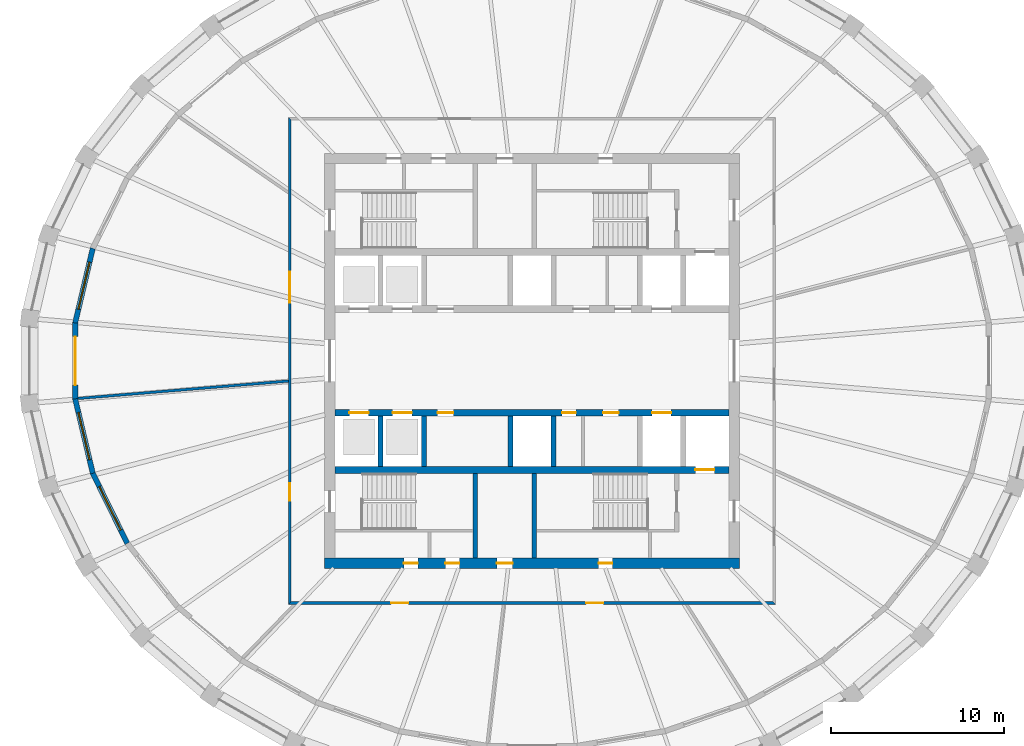
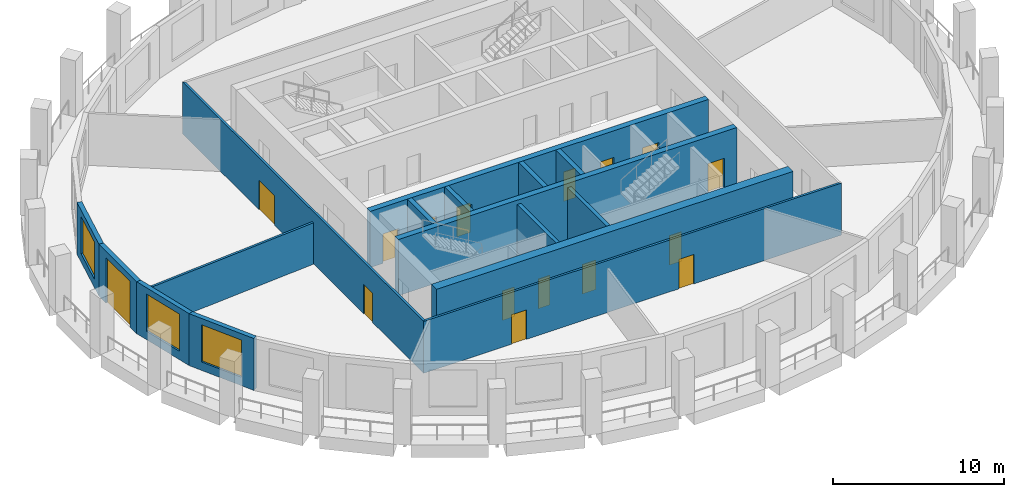
# One storey, part 3 of 10: 16 doors, 16 walls, 3 windows, 19 openings.
"""IFC4 building model written with IfcOpenShell, lengths in metres."""

from ifc_helpers import new_model, si_unit, direction, frame, frame_2d, origin, place, context, subcontext, project, spatial, polyline, rectangle, outline, extrude, material, layer, layer_set, type_object, element, fill, save


model = new_model("IFC4")

# Units and contexts
model_context = context("Model", 3, precision=1e-05, world=origin(), true_north=direction((0.0, 1.0)))
body_context = subcontext(model_context, "Body", "Model", "MODEL_VIEW")
ifc_project = project(units=[si_unit("LENGTHUNIT", "METRE"), si_unit("AREAUNIT", "SQUARE_METRE"), si_unit("VOLUMEUNIT", "CUBIC_METRE"), si_unit("PLANEANGLEUNIT", "RADIAN"), si_unit("MASSUNIT", "GRAM", prefix="KILO")], contexts=[model_context])

# Site, building, storey
site_placement = place(None, origin())
site = spatial("IfcSite", under=ifc_project, at=site_placement, CompositionType="ELEMENT")
building_placement = place(site_placement, origin())
building = spatial("IfcBuilding", under=site, at=building_placement, Name="Halqa Exchange Tower", CompositionType="ELEMENT")
storey_placement = place(building_placement, frame((0.0, 0.0, 292.300048828125)))
storey = spatial("IfcBuildingStorey", under=building, at=storey_placement, Name="L68", CompositionType="ELEMENT", Elevation=292.300048828125)

# Wall, openings, doors
ifc_material_1 = material(Name="Fire-rated gypsum board")
ifc_layer_1 = layer(ifc_material_1, 0.14990234375)
ifc_layer_set_1 = layer_set([ifc_layer_1], Name="Fire-rated gypsum board")
wall_type_1 = type_object("IfcWallType", Name="Fire partition EI 60 150", PredefinedType="PARTITIONING", material=ifc_layer_set_1)
wall_1_placement = place(storey_placement, frame((-14.0, -14.074951171875, 0.0), z_axis=(0.0, 0.0, 1.0), x_axis=(0.0, 1.0, 0.0)))
wall_1 = element("IfcWall", 1, at=wall_1_placement, inside=storey, type_object=wall_type_1, Name="L68-PWL-002", PredefinedType="PARTITIONING", context=body_context, shape_type="SweptSolid", body=[
    extrude(outline(polyline([(0.14990234375, -0.074951171875), (2.13916015625, -0.074951171875), (4.12841796875, -0.074951171875), (6.11767578125, -0.074951171875), (8.107177734375, -0.074951171875), (10.096435546875, -0.074951171875), (12.085693359375, -0.074951171875), (14.074951171875, -0.074951171875), (16.064208984375, -0.074951171875), (18.053466796875, -0.074951171875), (20.042724609375, -0.074951171875), (22.0322265625, -0.074951171875), (24.021484375, -0.074951171875), (26.0107421875, -0.074951171875), (28.0, -0.074951171875), (28.14990234375, 0.074951171875), (26.273193359375, 0.074951171875), (24.396484375, 0.074951171875), (22.52001953125, 0.074951171875), (20.643310546875, 0.074951171875), (18.7666015625, 0.074951171875), (16.889892578125, 0.074951171875), (15.01318359375, 0.074951171875), (13.13671875, 0.074951171875), (11.260009765625, 0.074951171875), (9.38330078125, 0.074951171875), (7.506591796875, 0.074951171875), (5.6298828125, 0.074951171875), (3.75341796875, 0.074951171875), (1.876708984375, 0.074951171875), (0.0, 0.074951171875), (0.14990234375, -0.074951171875)])), origin(), (0.0, 0.0, 1.0), 3.699951171875),
])
opening_1_placement = place(wall_1_placement, frame((17.429931640625, 0.0, 0.0)))
opening_1 = element("IfcOpeningElement", 2, at=opening_1_placement, cuts=wall_1, Name="Opening 21-01", PredefinedType="OPENING", context=body_context, shape_type="SweptSolid", body=[
    extrude(rectangle(XDim=1.800048828125, YDim=2.10009765625, at=frame_2d((0.89990234375, 1.050048828125))), frame((0.0, 0.0869140625, 0.0), z_axis=(0.0, -1.0, 0.0), x_axis=(1.0, 0.0, 0.0)), (0.0, 0.0, 1.0), 0.173828125),
])
opening_2_placement = place(wall_1_placement, frame((5.9951171875, 0.0, 0.0)))
opening_2 = element("IfcOpeningElement", 3, at=opening_2_placement, cuts=wall_1, Name="Opening 21-02", PredefinedType="OPENING", context=body_context, shape_type="SweptSolid", body=[
    extrude(rectangle(XDim=1.0, YDim=2.10009765625, at=frame_2d((0.5, 1.050048828125))), frame((0.0, 0.0869140625, 0.0), z_axis=(0.0, -1.0, 0.0), x_axis=(1.0, 0.0, 0.0)), (0.0, 0.0, 1.0), 0.173828125),
])
ifc_material_2 = material(Name="Steel fire door leaf", Category="steel")
door_type_1 = type_object("IfcDoorType", Name="Fire door FD30S 1000 x 2100", OperationType="SINGLE_SWING_LEFT", PredefinedType="DOOR", material=ifc_material_2)
door_1_placement = place(opening_2_placement, origin())
door_1 = element("IfcDoor", 4, at=door_1_placement, inside=storey, type_object=door_type_1, Name="L68-IDR-002", OperationType="SINGLE_SWING_LEFT", OverallHeight=2.10009765625, OverallWidth=1.0, PredefinedType="DOOR", context=body_context, shape_type="SweptSolid", body=[
    extrude(rectangle(XDim=1.0, YDim=2.10009765625, at=frame_2d((0.5, 1.050048828125))), frame((0.0, 0.02490234375, 0.0), z_axis=(0.0, -1.0, 0.0), x_axis=(1.0, 0.0, 0.0)), (0.0, 0.0, 1.0), 0.050048828125),
])
fill(opening_2, door_1)
door_type_2 = type_object("IfcDoorType", Name="Fire door FD30S double 1800 x 2100", OperationType="DOUBLE_DOOR_SINGLE_SWING", PredefinedType="DOOR", material=ifc_material_2)
door_2_placement = place(opening_1_placement, origin())
door_2 = element("IfcDoor", 5, at=door_2_placement, inside=storey, type_object=door_type_2, Name="L68-IDR-001", OperationType="DOUBLE_DOOR_SINGLE_SWING", OverallHeight=2.10009765625, OverallWidth=1.800048828125, PredefinedType="DOOR", context=body_context, shape_type="SweptSolid", body=[
    extrude(rectangle(XDim=1.800048828125, YDim=2.10009765625, at=frame_2d((0.89990234375, 1.050048828125))), frame((0.0, 0.02490234375, 0.0), z_axis=(0.0, -1.0, 0.0), x_axis=(1.0, 0.0, 0.0)), (0.0, 0.0, 1.0), 0.050048828125),
])
fill(opening_1, door_2)

wall_2_placement = place(storey_placement, frame((-14.074951171875, -14.0, 0.0), z_axis=(0.0, 0.0, 1.0), x_axis=(1.0, 0.0, 0.0)))
wall_2 = element("IfcWall", 6, at=wall_2_placement, inside=storey, type_object=wall_type_1, Name="L68-PWL-003", PredefinedType="PARTITIONING", context=body_context, shape_type="SweptSolid", body=[
    extrude(outline(polyline([(0.0, -0.074951171875), (1.876708984375, -0.074951171875), (3.75341796875, -0.074951171875), (5.6298828125, -0.074951171875), (7.506591796875, -0.074951171875), (9.38330078125, -0.074951171875), (11.260009765625, -0.074951171875), (13.13671875, -0.074951171875), (15.01318359375, -0.074951171875), (16.889892578125, -0.074951171875), (18.7666015625, -0.074951171875), (20.643310546875, -0.074951171875), (22.52001953125, -0.074951171875), (24.396484375, -0.074951171875), (26.273193359375, -0.074951171875), (28.14990234375, -0.074951171875), (28.0, 0.074951171875), (26.0107421875, 0.074951171875), (24.021484375, 0.074951171875), (22.0322265625, 0.074951171875), (20.042724609375, 0.074951171875), (18.053466796875, 0.074951171875), (16.064208984375, 0.074951171875), (14.074951171875, 0.074951171875), (12.085693359375, 0.074951171875), (10.096435546875, 0.074951171875), (8.107177734375, 0.074951171875), (6.11767578125, 0.074951171875), (4.12841796875, 0.074951171875), (2.13916015625, 0.074951171875), (0.14990234375, 0.074951171875), (0.0, -0.074951171875)])), origin(), (0.0, 0.0, 1.0), 3.699951171875),
])
opening_3_placement = place(wall_2_placement, frame((5.929931640625, 0.0, 0.0)))
opening_3 = element("IfcOpeningElement", 7, at=opening_3_placement, cuts=wall_2, Name="Opening 21-03", PredefinedType="OPENING", context=body_context, shape_type="SweptSolid", body=[
    extrude(rectangle(XDim=1.0, YDim=2.10009765625, at=frame_2d((0.5, 1.050048828125))), frame((0.0, 0.0869140625, 0.0), z_axis=(0.0, -1.0, 0.0), x_axis=(1.0, 0.0, 0.0)), (0.0, 0.0, 1.0), 0.173828125),
])
opening_4_placement = place(wall_2_placement, frame((17.199951171875, 0.0, 0.0)))
opening_4 = element("IfcOpeningElement", 8, at=opening_4_placement, cuts=wall_2, Name="Opening 21-04", PredefinedType="OPENING", context=body_context, shape_type="SweptSolid", body=[
    extrude(rectangle(XDim=1.0, YDim=2.10009765625, at=frame_2d((0.5, 1.050048828125))), frame((0.0, 0.0869140625, 0.0), z_axis=(0.0, -1.0, 0.0), x_axis=(1.0, 0.0, 0.0)), (0.0, 0.0, 1.0), 0.173828125),
])
door_3_placement = place(opening_3_placement, frame((1.0, 0.0, 0.0), z_axis=(0.0, 0.0, 1.0), x_axis=(-1.0, 0.0, 0.0)))
door_3 = element("IfcDoor", 9, at=door_3_placement, inside=storey, type_object=door_type_1, Name="L68-IDR-003", OperationType="SINGLE_SWING_RIGHT", OverallHeight=2.10009765625, OverallWidth=1.0, PredefinedType="DOOR", context=body_context, shape_type="SweptSolid", body=[
    extrude(rectangle(XDim=1.0, YDim=2.10009765625, at=frame_2d((0.5, 1.050048828125))), frame((0.0, 0.02490234375, 0.0), z_axis=(0.0, -1.0, 0.0), x_axis=(1.0, 0.0, 0.0)), (0.0, 0.0, 1.0), 0.050048828125),
])
fill(opening_3, door_3)
door_4_placement = place(opening_4_placement, frame((1.0, 0.0, 0.0), z_axis=(0.0, 0.0, 1.0), x_axis=(-1.0, 0.0, 0.0)))
door_4 = element("IfcDoor", 10, at=door_4_placement, inside=storey, type_object=door_type_1, Name="L68-IDR-004", OperationType="SINGLE_SWING_LEFT", OverallHeight=2.10009765625, OverallWidth=1.0, PredefinedType="DOOR", context=body_context, shape_type="SweptSolid", body=[
    extrude(rectangle(XDim=1.0, YDim=2.10009765625, at=frame_2d((0.5, 1.050048828125))), frame((0.0, 0.02490234375, 0.0), z_axis=(0.0, -1.0, 0.0), x_axis=(1.0, 0.0, 0.0)), (0.0, 0.0, 1.0), 0.050048828125),
])
fill(opening_4, door_4)

# Walls
wall_3_placement = place(storey_placement, frame((-14.0693359375, -1.165771484375, 0.0), z_axis=(0.0, 0.0, 1.0), x_axis=(-0.99659010846, -0.082511549014, 0.0)))
element("IfcWall", 11, at=wall_3_placement, inside=storey, type_object=wall_type_1, Name="L68-PWL-004", PredefinedType="PARTITIONING", context=body_context, shape_type="SweptSolid", body=[
    extrude(outline(polyline([(12.22314453125, -0.074951171875), (12.22314453125, 0.046630859375), (12.218994140625, 0.074951171875), (10.47509765625, 0.074951171875), (8.731201171875, 0.074951171875), (6.9873046875, 0.074951171875), (5.243408203125, 0.074951171875), (3.49951171875, 0.074951171875), (1.755859375, 0.074951171875), (0.011962890625, 0.074951171875), (0.0, -0.068603515625), (0.0, -0.074951171875), (1.74609375, -0.074951171875), (3.492431640625, -0.074951171875), (5.238525390625, -0.074951171875), (6.984619140625, -0.074951171875), (8.730712890625, -0.074951171875), (10.47705078125, -0.074951171875), (12.22314453125, -0.074951171875)])), origin(), (0.0, 0.0, 1.0), 2.947021484375),
])
ifc_material_3 = material(Name="Concrete C60/75", Category="concrete")
ifc_layer_2 = layer(ifc_material_3, 0.300048828125)
ifc_layer_set_2 = layer_set([ifc_layer_2], Name="Concrete C60/75")
wall_type_2 = type_object("IfcWallType", Name="RC core wall 300", PredefinedType="SHEAR", material=ifc_layer_set_2)
for number, where, z_axis, x_axis, name in (
    (12, (-8.75, -6.10009765625, 0.0), (0.0, 0.0, 1.0), (0.0, 1.0, 0.0), "Shaft divider S1"),
    (13, (-6.25, -6.10009765625, 0.0), (0.0, 0.0, 1.0), (0.0, 1.0, 0.0), "Shaft divider S2"),
    (14, (-1.25, -6.10009765625, 0.0), (0.0, 0.0, 1.0), (0.0, 1.0, 0.0), "Shaft divider S4"),
    (15, (1.25, -6.10009765625, 0.0), (0.0, 0.0, 1.0), (0.0, 1.0, 0.0), "Shaft divider S5"),
):
    element("IfcWall", number, at=place(storey_placement, frame(where, z_axis=z_axis, x_axis=x_axis)), inside=storey, type_object=wall_type_2, Name=name, PredefinedType="SHEAR", context=body_context, shape_type="SweptSolid", body=[
        extrude(rectangle(XDim=2.900146484375, YDim=0.300048828125, at=frame_2d((1.4501953125, 0.0))), origin(), (0.0, 0.0, 1.0), 4.0),
    ])

# Wall, openings, doors
ifc_layer_3 = layer(ifc_material_3, 0.39990234375)
ifc_layer_set_3 = layer_set([ifc_layer_3], Name="Concrete C60/75")
wall_type_3 = type_object("IfcWallType", Name="RC core wall 400 C60/75", PredefinedType="SHEAR", material=ifc_layer_set_3)
wall_4_placement = place(storey_placement, frame((-11.39990234375, -3.0, 0.0), z_axis=(0.0, 0.0, 1.0), x_axis=(1.0, 0.0, 0.0)))
wall_4 = element("IfcWall", 16, at=wall_4_placement, inside=storey, type_object=wall_type_3, Name="Lift row front wall S", PredefinedType="SHEAR", context=body_context, shape_type="SweptSolid", body=[
    extrude(rectangle(XDim=22.7998046875, YDim=0.39990234375, at=frame_2d((11.39990234375, 0.0))), origin(), (0.0, 0.0, 1.0), 4.0),
])
opening_5_placement = place(wall_4_placement, frame((0.85009765625, 0.0, 0.0)))
opening_5 = element("IfcOpeningElement", 17, at=opening_5_placement, cuts=wall_4, Name="Opening LD-HR3-T21", PredefinedType="OPENING", context=body_context, shape_type="SweptSolid", body=[
    extrude(rectangle(XDim=1.10009765625, YDim=2.10009765625, at=frame_2d((0.550048828125, 1.050048828125))), frame((0.0, 0.2119140625, 0.0), z_axis=(0.0, -1.0, 0.0), x_axis=(1.0, 0.0, 0.0)), (0.0, 0.0, 1.0), 0.423828125),
])
opening_6_placement = place(wall_4_placement, frame((3.35009765625, 0.0, 0.0)))
opening_6 = element("IfcOpeningElement", 18, at=opening_6_placement, cuts=wall_4, Name="Opening LD-HR4-T21", PredefinedType="OPENING", context=body_context, shape_type="SweptSolid", body=[
    extrude(rectangle(XDim=1.10009765625, YDim=2.10009765625, at=frame_2d((0.550048828125, 1.050048828125))), frame((0.0, 0.2119140625, 0.0), z_axis=(0.0, -1.0, 0.0), x_axis=(1.0, 0.0, 0.0)), (0.0, 0.0, 1.0), 0.423828125),
])
opening_7_placement = place(wall_4_placement, frame((18.35009765625, 0.0, 0.0)))
opening_7 = element("IfcOpeningElement", 19, at=opening_7_placement, cuts=wall_4, Name="Opening LD-SV2-T21", PredefinedType="OPENING", context=body_context, shape_type="SweptSolid", body=[
    extrude(rectangle(XDim=1.10009765625, YDim=2.10009765625, at=frame_2d((0.550048828125, 1.050048828125))), frame((0.0, 0.2119140625, 0.0), z_axis=(0.0, -1.0, 0.0), x_axis=(1.0, 0.0, 0.0)), (0.0, 0.0, 1.0), 0.423828125),
])
opening_8_placement = place(wall_4_placement, frame((13.137451171875, 0.0, 0.0)))
opening_8 = element("IfcOpeningElement", 20, at=opening_8_placement, cuts=wall_4, Name="Opening T21-C28", PredefinedType="OPENING", context=body_context, shape_type="SweptSolid", body=[
    extrude(rectangle(XDim=0.800048828125, YDim=2.10009765625, at=frame_2d((0.39990234375, 1.050048828125))), frame((0.0, 0.2119140625, 0.0), z_axis=(0.0, -1.0, 0.0), x_axis=(1.0, 0.0, 0.0)), (0.0, 0.0, 1.0), 0.423828125),
])
opening_9_placement = place(wall_4_placement, frame((15.512451171875, 0.0, 0.0)))
opening_9 = element("IfcOpeningElement", 21, at=opening_9_placement, cuts=wall_4, Name="Opening T21-C29", PredefinedType="OPENING", context=body_context, shape_type="SweptSolid", body=[
    extrude(rectangle(XDim=0.89990234375, YDim=2.10009765625, at=frame_2d((0.449951171875, 1.050048828125))), frame((0.0, 0.2119140625, 0.0), z_axis=(0.0, -1.0, 0.0), x_axis=(1.0, 0.0, 0.0)), (0.0, 0.0, 1.0), 0.423828125),
])
opening_10_placement = place(wall_4_placement, frame((5.949951171875, 0.0, 0.0)))
opening_10 = element("IfcOpeningElement", 22, at=opening_10_placement, cuts=wall_4, Name="Opening T21-C30", PredefinedType="OPENING", context=body_context, shape_type="SweptSolid", body=[
    extrude(rectangle(XDim=0.89990234375, YDim=2.10009765625, at=frame_2d((0.449951171875, 1.050048828125))), frame((0.0, 0.2119140625, 0.0), z_axis=(0.0, -1.0, 0.0), x_axis=(1.0, 0.0, 0.0)), (0.0, 0.0, 1.0), 0.423828125),
])
ifc_material_4 = material(Name="Timber fire door leaf", Category="wood")
door_type_3 = type_object("IfcDoorType", Name="Core room door FD30 900 x 2100", OperationType="SINGLE_SWING_LEFT", PredefinedType="DOOR", material=ifc_material_4)
door_5_placement = place(opening_9_placement, frame((0.89990234375, 0.0, 0.0), z_axis=(0.0, 0.0, 1.0), x_axis=(-1.0, 0.0, 0.0)))
door_5 = element("IfcDoor", 23, at=door_5_placement, inside=storey, type_object=door_type_3, Name="Core room door", OperationType="SINGLE_SWING_RIGHT", OverallHeight=2.10009765625, OverallWidth=0.89990234375, PredefinedType="DOOR", context=body_context, shape_type="SweptSolid", body=[
    extrude(rectangle(XDim=0.89990234375, YDim=2.10009765625, at=frame_2d((0.449951171875, 1.050048828125))), frame((0.0, 0.02490234375, 0.0), z_axis=(0.0, -1.0, 0.0), x_axis=(1.0, 0.0, 0.0)), (0.0, 0.0, 1.0), 0.050048828125),
])
fill(opening_9, door_5)
door_6_placement = place(opening_10_placement, frame((0.89990234375, 0.0, 0.0), z_axis=(0.0, 0.0, 1.0), x_axis=(-1.0, 0.0, 0.0)))
door_6 = element("IfcDoor", 24, at=door_6_placement, inside=storey, type_object=door_type_3, Name="Core room door", OperationType="SINGLE_SWING_LEFT", OverallHeight=2.10009765625, OverallWidth=0.89990234375, PredefinedType="DOOR", context=body_context, shape_type="SweptSolid", body=[
    extrude(rectangle(XDim=0.89990234375, YDim=2.10009765625, at=frame_2d((0.449951171875, 1.050048828125))), frame((0.0, 0.02490234375, 0.0), z_axis=(0.0, -1.0, 0.0), x_axis=(1.0, 0.0, 0.0)), (0.0, 0.0, 1.0), 0.050048828125),
])
fill(opening_10, door_6)
ifc_material_5 = material(Name="Stainless steel", Category="steel")
door_type_4 = type_object("IfcDoorType", Name="Lift landing door 1100 x 2100", OperationType="SLIDING_TO_LEFT", PredefinedType="DOOR", material=ifc_material_5)
door_7_placement = place(opening_5_placement, origin())
door_7 = element("IfcDoor", 25, at=door_7_placement, inside=storey, type_object=door_type_4, Name="Lift landing door HR3", OperationType="SLIDING_TO_LEFT", OverallHeight=2.10009765625, OverallWidth=1.10009765625, PredefinedType="DOOR", context=body_context, shape_type="SweptSolid", body=[
    extrude(rectangle(XDim=1.10009765625, YDim=2.10009765625, at=frame_2d((0.550048828125, 1.050048828125))), frame((0.0, 0.02490234375, 0.0), z_axis=(0.0, -1.0, 0.0), x_axis=(1.0, 0.0, 0.0)), (0.0, 0.0, 1.0), 0.050048828125),
])
fill(opening_5, door_7)
door_8_placement = place(opening_6_placement, origin())
door_8 = element("IfcDoor", 26, at=door_8_placement, inside=storey, type_object=door_type_4, Name="Lift landing door HR4", OperationType="SLIDING_TO_LEFT", OverallHeight=2.10009765625, OverallWidth=1.10009765625, PredefinedType="DOOR", context=body_context, shape_type="SweptSolid", body=[
    extrude(rectangle(XDim=1.10009765625, YDim=2.10009765625, at=frame_2d((0.550048828125, 1.050048828125))), frame((0.0, 0.02490234375, 0.0), z_axis=(0.0, -1.0, 0.0), x_axis=(1.0, 0.0, 0.0)), (0.0, 0.0, 1.0), 0.050048828125),
])
fill(opening_6, door_8)
door_9_placement = place(opening_7_placement, origin())
door_9 = element("IfcDoor", 27, at=door_9_placement, inside=storey, type_object=door_type_4, Name="Lift landing door SV2", OperationType="SLIDING_TO_LEFT", OverallHeight=2.10009765625, OverallWidth=1.10009765625, PredefinedType="DOOR", context=body_context, shape_type="SweptSolid", body=[
    extrude(rectangle(XDim=1.10009765625, YDim=2.10009765625, at=frame_2d((0.550048828125, 1.050048828125))), frame((0.0, 0.02490234375, 0.0), z_axis=(0.0, -1.0, 0.0), x_axis=(1.0, 0.0, 0.0)), (0.0, 0.0, 1.0), 0.050048828125),
])
fill(opening_7, door_9)
door_type_5 = type_object("IfcDoorType", Name="Riser door FD60 800 x 2100", OperationType="SINGLE_SWING_LEFT", PredefinedType="DOOR", material=ifc_material_2)
door_10_placement = place(opening_8_placement, frame((0.800048828125, 0.0, 0.0), z_axis=(0.0, 0.0, 1.0), x_axis=(-1.0, 0.0, 0.0)))
door_10 = element("IfcDoor", 28, at=door_10_placement, inside=storey, type_object=door_type_5, Name="Core room door", OperationType="SINGLE_SWING_RIGHT", OverallHeight=2.10009765625, OverallWidth=0.800048828125, PredefinedType="DOOR", context=body_context, shape_type="SweptSolid", body=[
    extrude(rectangle(XDim=0.800048828125, YDim=2.10009765625, at=frame_2d((0.39990234375, 1.050048828125))), frame((0.0, 0.02490234375, 0.0), z_axis=(0.0, -1.0, 0.0), x_axis=(1.0, 0.0, 0.0)), (0.0, 0.0, 1.0), 0.050048828125),
])
fill(opening_8, door_10)

# Wall, opening, door
wall_5_placement = place(storey_placement, frame((-11.39990234375, -6.300048828125, 0.0), z_axis=(0.0, 0.0, 1.0), x_axis=(1.0, 0.0, 0.0)))
wall_5 = element("IfcWall", 29, at=wall_5_placement, inside=storey, type_object=wall_type_3, Name="Lift row back wall S", PredefinedType="SHEAR", context=body_context, shape_type="SweptSolid", body=[
    extrude(rectangle(XDim=22.7998046875, YDim=0.39990234375, at=frame_2d((11.39990234375, 0.0))), origin(), (0.0, 0.0, 1.0), 4.0),
])
opening_11_placement = place(wall_5_placement, frame((20.85009765625, 0.0, 0.0)))
opening_11 = element("IfcOpeningElement", 30, at=opening_11_placement, cuts=wall_5, Name="Opening LD-FF2-T21", PredefinedType="OPENING", context=body_context, shape_type="SweptSolid", body=[
    extrude(rectangle(XDim=1.10009765625, YDim=2.10009765625, at=frame_2d((0.550048828125, 1.050048828125))), frame((0.0, 0.2119140625, 0.0), z_axis=(0.0, -1.0, 0.0), x_axis=(1.0, 0.0, 0.0)), (0.0, 0.0, 1.0), 0.423828125),
])
door_11_placement = place(opening_11_placement, origin())
door_11 = element("IfcDoor", 31, at=door_11_placement, inside=storey, type_object=door_type_4, Name="Lift landing door FF2", OperationType="SLIDING_TO_LEFT", OverallHeight=2.10009765625, OverallWidth=1.10009765625, PredefinedType="DOOR", context=body_context, shape_type="SweptSolid", body=[
    extrude(rectangle(XDim=1.10009765625, YDim=2.10009765625, at=frame_2d((0.550048828125, 1.050048828125))), frame((0.0, 0.02490234375, 0.0), z_axis=(0.0, -1.0, 0.0), x_axis=(1.0, 0.0, 0.0)), (0.0, 0.0, 1.0), 0.050048828125),
])
fill(opening_11, door_11)

# Wall, openings, doors
ifc_layer_4 = layer(ifc_material_3, 0.60009765625)
ifc_layer_set_4 = layer_set([ifc_layer_4], Name="Concrete C60/75")
wall_type_4 = type_object("IfcWallType", Name="RC core wall 600 C60/75", PredefinedType="SHEAR", material=ifc_layer_set_4)
wall_6_placement = place(storey_placement, frame((-12.0, -11.699951171875, 0.0), z_axis=(0.0, 0.0, 1.0), x_axis=(1.0, 0.0, 0.0)))
wall_6 = element("IfcWall", 32, at=wall_6_placement, inside=storey, type_object=wall_type_4, Name="Core wall south", PredefinedType="SHEAR", context=body_context, shape_type="SweptSolid", body=[
    extrude(rectangle(XDim=24.0, YDim=0.60009765625, at=frame_2d((12.0, 0.0))), origin(), (0.0, 0.0, 1.0), 4.0),
])
opening_12_placement = place(wall_6_placement, frame((9.97509765625, 0.0, 0.0)))
opening_12 = element("IfcOpeningElement", 33, at=opening_12_placement, cuts=wall_6, Name="Opening T21-C21", PredefinedType="OPENING", context=body_context, shape_type="SweptSolid", body=[
    extrude(rectangle(XDim=0.89990234375, YDim=2.10009765625, at=frame_2d((0.449951171875, 1.050048828125))), frame((0.0, 0.31201171875, 0.0), z_axis=(0.0, -1.0, 0.0), x_axis=(1.0, 0.0, 0.0)), (0.0, 0.0, 1.0), 0.6240234375),
])
opening_13_placement = place(wall_6_placement, frame((4.60009765625, 0.0, 0.0)))
opening_13 = element("IfcOpeningElement", 34, at=opening_13_placement, cuts=wall_6, Name="Opening T21-C22", PredefinedType="OPENING", context=body_context, shape_type="SweptSolid", body=[
    extrude(rectangle(XDim=0.800048828125, YDim=2.10009765625, at=frame_2d((0.39990234375, 1.050048828125))), frame((0.0, 0.31201171875, 0.0), z_axis=(0.0, -1.0, 0.0), x_axis=(1.0, 0.0, 0.0)), (0.0, 0.0, 1.0), 0.6240234375),
])
opening_14_placement = place(wall_6_placement, frame((7.0, 0.0, 0.0)))
opening_14 = element("IfcOpeningElement", 35, at=opening_14_placement, cuts=wall_6, Name="Opening T21-C23", PredefinedType="OPENING", context=body_context, shape_type="SweptSolid", body=[
    extrude(rectangle(XDim=0.800048828125, YDim=2.10009765625, at=frame_2d((0.39990234375, 1.050048828125))), frame((0.0, 0.31201171875, 0.0), z_axis=(0.0, -1.0, 0.0), x_axis=(1.0, 0.0, 0.0)), (0.0, 0.0, 1.0), 0.6240234375),
])
opening_15_placement = place(wall_6_placement, frame((15.85009765625, 0.0, 0.0)))
opening_15 = element("IfcOpeningElement", 36, at=opening_15_placement, cuts=wall_6, Name="Opening T21-C24", PredefinedType="OPENING", context=body_context, shape_type="SweptSolid", body=[
    extrude(rectangle(XDim=0.800048828125, YDim=2.10009765625, at=frame_2d((0.39990234375, 1.050048828125))), frame((0.0, 0.31201171875, 0.0), z_axis=(0.0, -1.0, 0.0), x_axis=(1.0, 0.0, 0.0)), (0.0, 0.0, 1.0), 0.6240234375),
])
door_12_placement = place(opening_12_placement, origin())
door_12 = element("IfcDoor", 37, at=door_12_placement, inside=storey, type_object=door_type_3, Name="Core room door", OperationType="SINGLE_SWING_LEFT", OverallHeight=2.10009765625, OverallWidth=0.89990234375, PredefinedType="DOOR", context=body_context, shape_type="SweptSolid", body=[
    extrude(rectangle(XDim=0.89990234375, YDim=2.10009765625, at=frame_2d((0.449951171875, 1.050048828125))), frame((0.0, 0.02490234375, 0.0), z_axis=(0.0, -1.0, 0.0), x_axis=(1.0, 0.0, 0.0)), (0.0, 0.0, 1.0), 0.050048828125),
])
fill(opening_12, door_12)
door_13_placement = place(opening_13_placement, origin())
door_13 = element("IfcDoor", 38, at=door_13_placement, inside=storey, type_object=door_type_5, Name="Core room door", OperationType="SINGLE_SWING_LEFT", OverallHeight=2.10009765625, OverallWidth=0.800048828125, PredefinedType="DOOR", context=body_context, shape_type="SweptSolid", body=[
    extrude(rectangle(XDim=0.800048828125, YDim=2.10009765625, at=frame_2d((0.39990234375, 1.050048828125))), frame((0.0, 0.02490234375, 0.0), z_axis=(0.0, -1.0, 0.0), x_axis=(1.0, 0.0, 0.0)), (0.0, 0.0, 1.0), 0.050048828125),
])
fill(opening_13, door_13)
door_14_placement = place(opening_14_placement, origin())
door_14 = element("IfcDoor", 39, at=door_14_placement, inside=storey, type_object=door_type_5, Name="Core room door", OperationType="SINGLE_SWING_LEFT", OverallHeight=2.10009765625, OverallWidth=0.800048828125, PredefinedType="DOOR", context=body_context, shape_type="SweptSolid", body=[
    extrude(rectangle(XDim=0.800048828125, YDim=2.10009765625, at=frame_2d((0.39990234375, 1.050048828125))), frame((0.0, 0.02490234375, 0.0), z_axis=(0.0, -1.0, 0.0), x_axis=(1.0, 0.0, 0.0)), (0.0, 0.0, 1.0), 0.050048828125),
])
fill(opening_14, door_14)
door_15_placement = place(opening_15_placement, origin())
door_15 = element("IfcDoor", 40, at=door_15_placement, inside=storey, type_object=door_type_5, Name="Core room door", OperationType="SINGLE_SWING_LEFT", OverallHeight=2.10009765625, OverallWidth=0.800048828125, PredefinedType="DOOR", context=body_context, shape_type="SweptSolid", body=[
    extrude(rectangle(XDim=0.800048828125, YDim=2.10009765625, at=frame_2d((0.39990234375, 1.050048828125))), frame((0.0, 0.02490234375, 0.0), z_axis=(0.0, -1.0, 0.0), x_axis=(1.0, 0.0, 0.0)), (0.0, 0.0, 1.0), 0.050048828125),
])
fill(opening_15, door_15)

# Walls
ifc_material_6 = material(Name="Concrete C30/37", Category="concrete")
ifc_layer_5 = layer(ifc_material_6, 0.25)
ifc_layer_set_5 = layer_set([ifc_layer_5], Name="Concrete C30/37")
wall_type_5 = type_object("IfcWallType", Name="RC stair wall 250 C30/37", PredefinedType="SHEAR", material=ifc_layer_set_5)
for number, where, z_axis, x_axis, name in (
    (41, (-3.27490234375, -11.39990234375, 0.0), (0.0, 0.0, 1.0), (0.0, 1.0, 0.0), "Stair ST1 east wall S"),
    (42, (0.125, -11.39990234375, 0.0), (0.0, 0.0, 1.0), (0.0, 1.0, 0.0), "Stair ST2 west wall S"),
):
    element("IfcWall", number, at=place(storey_placement, frame(where, z_axis=z_axis, x_axis=x_axis)), inside=storey, type_object=wall_type_5, Name=name, PredefinedType="SHEAR", context=body_context, shape_type="SweptSolid", body=[
        extrude(rectangle(XDim=4.89990234375, YDim=0.25, at=frame_2d((2.449951171875, 0.0))), origin(), (0.0, 0.0, 1.0), 3.699951171875),
    ])

# Wall, opening, window
ifc_material_7 = material(Name="Limestone cladding", Category="masonry")
ifc_layer_6 = layer(ifc_material_7, 0.0400390625)
ifc_material_8 = material(Name="Ventilated cavity")
ifc_layer_7 = layer(ifc_material_8, 0.030029296875, ventilated=True)
ifc_material_9 = material(Name="Mineral wool insulation")
ifc_layer_8 = layer(ifc_material_9, 0.10009765625)
ifc_layer_9 = layer(ifc_material_6, 0.10009765625)
ifc_material_10 = material(Name="Internal plaster")
ifc_layer_10 = layer(ifc_material_10, 0.030029296875)
ifc_layer_set_6 = layer_set([ifc_layer_6, ifc_layer_7, ifc_layer_8, ifc_layer_9, ifc_layer_10], Name="Stone-faced insulated wall 300")
wall_type_6 = type_object("IfcWallType", Name="Stone-faced insulated wall 300", PredefinedType="STANDARD", material=ifc_layer_set_6)
wall_7_placement = place(storey_placement, frame((-25.39013671875, 6.499755859375, 0.0), z_axis=(0.0, 0.0, 1.0), x_axis=(-0.229943714271, -0.973203929435, 0.0)))
wall_7 = element("IfcWall", 43, at=wall_7_placement, inside=storey, type_object=wall_type_6, Name="Glass-line wall 15", PredefinedType="STANDARD", context=body_context, shape_type="SweptSolid", body=[
    extrude(outline(polyline([(-0.016845703125, -0.14990234375), (4.440673828125, -0.14990234375), (4.405517578125, 0.14990234375), (0.016845703125, 0.14990234375), (-0.016845703125, -0.14990234375)])), origin(), (0.0, 0.0, 1.0), 3.699951171875),
])
opening_16_placement = place(wall_7_placement, frame((0.8115234375, 0.0, 0.60009765625)))
opening_16 = element("IfcOpeningElement", 44, at=opening_16_placement, cuts=wall_7, Name="Opening W-F4-15", PredefinedType="OPENING", context=body_context, shape_type="SweptSolid", body=[
    extrude(rectangle(XDim=2.800048828125, YDim=2.64990234375, at=frame_2d((1.39990234375, 1.324951171875))), frame((0.0, 0.162109375, 0.0), z_axis=(0.0, -1.0, 0.0), x_axis=(1.0, 0.0, 0.0)), (0.0, 0.0, 1.0), 0.323974609375),
])
ifc_material_11 = material(Name="Clear low-emissivity glass in aluminium frame", Category="aluminium")
window_type = type_object("IfcWindowType", Name="Fixed clear glazed window 2800 x 2650", PartitioningType="DOUBLE_PANEL_VERTICAL", PredefinedType="WINDOW", material=ifc_material_11)
window_1_placement = place(opening_16_placement, origin())
window_1 = element("IfcWindow", 45, at=window_1_placement, inside=storey, type_object=window_type, Name="Window 4", OverallHeight=2.64990234375, OverallWidth=2.800048828125, PartitioningType="DOUBLE_PANEL_VERTICAL", PredefinedType="WINDOW", context=body_context, shape_type="SweptSolid", body=[
    extrude(rectangle(XDim=2.800048828125, YDim=2.64990234375, at=frame_2d((1.39990234375, 1.324951171875))), frame((0.0, 0.030029296875, 0.0), z_axis=(0.0, -1.0, 0.0), x_axis=(1.0, 0.0, 0.0)), (0.0, 0.0, 1.0), 0.06005859375),
])
fill(opening_16, window_1)

# Wall, opening, door
wall_8_placement = place(storey_placement, frame((-26.4072265625, 2.195068359375, 0.0), z_axis=(0.0, 0.0, 1.0), x_axis=(0.0, -1.0, 0.0)))
wall_8 = element("IfcWall", 46, at=wall_8_placement, inside=storey, type_object=wall_type_6, Name="Glass-line wall 16", PredefinedType="STANDARD", context=body_context, shape_type="SweptSolid", body=[
    extrude(outline(polyline([(-0.017578125, -0.14990234375), (4.40771484375, -0.14990234375), (4.37255859375, 0.14990234375), (0.017578125, 0.14990234375), (-0.017578125, -0.14990234375)])), origin(), (0.0, 0.0, 1.0), 3.699951171875),
])
opening_17_placement = place(wall_8_placement, frame((0.794921875, 0.0, 0.0)))
opening_17 = element("IfcOpeningElement", 47, at=opening_17_placement, cuts=wall_8, Name="Opening LG-F4-04", PredefinedType="OPENING", context=body_context, shape_type="SweptSolid", body=[
    extrude(rectangle(XDim=2.800048828125, YDim=3.25, at=frame_2d((1.39990234375, 1.625))), frame((0.0, 0.162109375, 0.0), z_axis=(0.0, -1.0, 0.0), x_axis=(1.0, 0.0, 0.0)), (0.0, 0.0, 1.0), 0.323974609375),
])
door_type_6 = type_object("IfcDoorType", Name="Glazed sliding loggia door 2800 x 3250", OperationType="DOUBLE_DOOR_SLIDING", PredefinedType="DOOR", material=ifc_material_11)
door_16_placement = place(opening_17_placement, origin())
door_16 = element("IfcDoor", 48, at=door_16_placement, inside=storey, type_object=door_type_6, Name="Loggia door 4", OperationType="DOUBLE_DOOR_SLIDING", OverallHeight=3.25, OverallWidth=2.800048828125, PredefinedType="DOOR", context=body_context, shape_type="SweptSolid", body=[
    extrude(rectangle(XDim=2.800048828125, YDim=3.25, at=frame_2d((1.39990234375, 1.625))), frame((0.0, 0.02490234375, 0.0), z_axis=(0.0, -1.0, 0.0), x_axis=(1.0, 0.0, 0.0)), (0.0, 0.0, 1.0), 0.050048828125),
])
fill(opening_17, door_16)

# Wall, opening, window
wall_9_placement = place(storey_placement, frame((-26.4072265625, -2.195068359375, 0.0), z_axis=(0.0, 0.0, 1.0), x_axis=(0.229943714271, -0.973203929435, 0.0)))
wall_9 = element("IfcWall", 49, at=wall_9_placement, inside=storey, type_object=wall_type_6, Name="Glass-line wall 17", PredefinedType="STANDARD", context=body_context, shape_type="SweptSolid", body=[
    extrude(outline(polyline([(-0.017578125, -0.14990234375), (4.43994140625, -0.14990234375), (4.40625, 0.14990234375), (0.017578125, 0.14990234375), (-0.017578125, -0.14990234375)])), origin(), (0.0, 0.0, 1.0), 3.699951171875),
])
opening_18_placement = place(wall_9_placement, frame((0.8115234375, 0.0, 0.60009765625)))
opening_18 = element("IfcOpeningElement", 50, at=opening_18_placement, cuts=wall_9, Name="Opening W-F4-17", PredefinedType="OPENING", context=body_context, shape_type="SweptSolid", body=[
    extrude(rectangle(XDim=2.800048828125, YDim=2.64990234375, at=frame_2d((1.39990234375, 1.324951171875))), frame((0.0, 0.162109375, 0.0), z_axis=(0.0, -1.0, 0.0), x_axis=(1.0, 0.0, 0.0)), (0.0, 0.0, 1.0), 0.323974609375),
])
window_2_placement = place(opening_18_placement, origin())
window_2 = element("IfcWindow", 51, at=window_2_placement, inside=storey, type_object=window_type, Name="Window 4", OverallHeight=2.64990234375, OverallWidth=2.800048828125, PartitioningType="DOUBLE_PANEL_VERTICAL", PredefinedType="WINDOW", context=body_context, shape_type="SweptSolid", body=[
    extrude(rectangle(XDim=2.800048828125, YDim=2.64990234375, at=frame_2d((1.39990234375, 1.324951171875))), frame((0.0, 0.030029296875, 0.0), z_axis=(0.0, -1.0, 0.0), x_axis=(1.0, 0.0, 0.0)), (0.0, 0.0, 1.0), 0.06005859375),
])
fill(opening_18, window_2)

wall_10_placement = place(storey_placement, frame((-25.39013671875, -6.499755859375, 0.0), z_axis=(0.0, 0.0, 1.0), x_axis=(0.441431671743, -0.897294867467, 0.0)))
wall_10 = element("IfcWall", 52, at=wall_10_placement, inside=storey, type_object=wall_type_6, Name="Glass-line wall 18", PredefinedType="STANDARD", context=body_context, shape_type="SweptSolid", body=[
    extrude(outline(polyline([(-0.016845703125, -0.14990234375), (4.532958984375, -0.14990234375), (4.500732421875, 0.14990234375), (0.016845703125, 0.14990234375), (-0.016845703125, -0.14990234375)])), origin(), (0.0, 0.0, 1.0), 3.699951171875),
])
opening_19_placement = place(wall_10_placement, frame((0.8583984375, 0.0, 0.60009765625)))
opening_19 = element("IfcOpeningElement", 53, at=opening_19_placement, cuts=wall_10, Name="Opening W-F4-18", PredefinedType="OPENING", context=body_context, shape_type="SweptSolid", body=[
    extrude(rectangle(XDim=2.800048828125, YDim=2.64990234375, at=frame_2d((1.39990234375, 1.324951171875))), frame((0.0, 0.162109375, 0.0), z_axis=(0.0, -1.0, 0.0), x_axis=(1.0, 0.0, 0.0)), (0.0, 0.0, 1.0), 0.323974609375),
])
window_3_placement = place(opening_19_placement, origin())
window_3 = element("IfcWindow", 54, at=window_3_placement, inside=storey, type_object=window_type, Name="Window 4", OverallHeight=2.64990234375, OverallWidth=2.800048828125, PartitioningType="DOUBLE_PANEL_VERTICAL", PredefinedType="WINDOW", context=body_context, shape_type="SweptSolid", body=[
    extrude(rectangle(XDim=2.800048828125, YDim=2.64990234375, at=frame_2d((1.39990234375, 1.324951171875))), frame((0.0, 0.030029296875, 0.0), z_axis=(0.0, -1.0, 0.0), x_axis=(1.0, 0.0, 0.0)), (0.0, 0.0, 1.0), 0.06005859375),
])
fill(opening_19, window_3)

save(model, "model.ifc")
